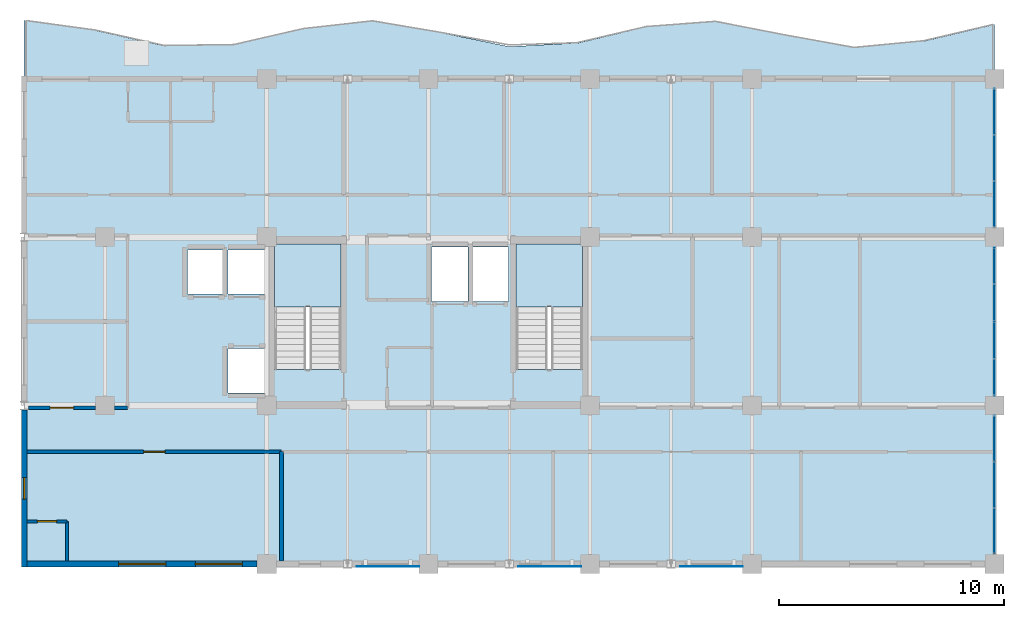
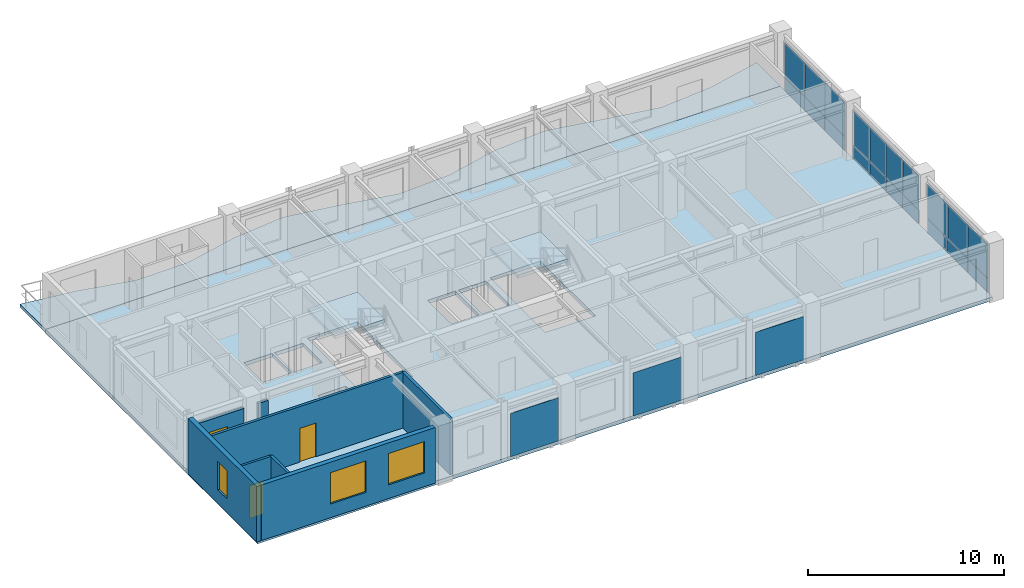
# One storey, part 5 of 11: 23 plates, 8 walls, 4 slabs, 3 doors, 3 windows, 6 openings, 5 elements without a shape of their own.
"""IFC4 building model written with IfcOpenShell, lengths in metres."""

import ifcopenshell
import ifcopenshell.guid

model = None  # the IFC model being written
_history = None  # IfcOwnerHistory: only IFC2X3 demands one
_inside = {}  # id of a spatial element -> (the spatial element, [elements in it])
_under = {}  # id of a project, library or spatial element -> (it, [spatial elements below it])
_declared = {}  # id of a project -> (the project, [libraries it declares])
_typed = {}  # id of a type object -> (the type object, [elements of that type])
_made_of = {}  # id of a material, layer set ... -> (it, [elements and type objects made of it])


def new_model(schema):
    """Start an empty IFC model of exactly this schema.

    Asked for "IFC4X3", IfcOpenShell would pick the latest addendum, in which some entities
    have other attributes; the version numbers below select the first issue.
    IFC2X3 requires an IfcOwnerHistory on every rooted entity: one is made here for all.
    """
    global model, _history
    if schema == "IFC4X3":
        model = ifcopenshell.file(schema_version=(4, 3, 0, 0))
    else:
        model = ifcopenshell.file(schema=schema)
    _inside.clear()
    _under.clear()
    _declared.clear()
    _typed.clear()
    _made_of.clear()
    _history = None
    if model.schema == "IFC2X3":
        org = make("IfcOrganization", Name="unknown")
        user = make(
            "IfcPersonAndOrganization",
            ThePerson=make("IfcPerson", FamilyName="unknown"),
            TheOrganization=org,
        )
        app = make(
            "IfcApplication",
            ApplicationDeveloper=org,
            Version="unknown",
            ApplicationFullName="unknown",
            ApplicationIdentifier="unknown",
        )
        _history = make(
            "IfcOwnerHistory",
            OwningUser=user,
            OwningApplication=app,
            ChangeAction="ADDED",
            CreationDate=0,
        )
    return model


def make(cls, **values):
    """One entity of the class cls with the attributes given. An attribute that is None is left unset."""
    return model.create_entity(
        cls, **{name: value for name, value in values.items() if value is not None}
    )


def rooted(cls, **values):
    """An entity with a GlobalId (a new one), such as an element, a storey or a relation."""
    return make(cls, GlobalId=ifcopenshell.guid.new(), OwnerHistory=_history, **values)


def si_unit(unit_type, name, prefix=None):
    """IfcSIUnit, for example si_unit("LENGTHUNIT", "METRE", prefix="MILLI")."""
    return make("IfcSIUnit", UnitType=unit_type, Prefix=prefix, Name=name)


def assignment(units):
    """IfcUnitAssignment: the units of a project."""
    return None if units is None else make("IfcUnitAssignment", Units=units)


def point(xyz):
    """IfcCartesianPoint."""
    return None if xyz is None else make("IfcCartesianPoint", Coordinates=xyz)


def direction(xyz):
    """IfcDirection."""
    return None if xyz is None else make("IfcDirection", DirectionRatios=xyz)


def frame(location, z_axis=None, x_axis=None):
    """IfcAxis2Placement3D, a coordinate frame: its origin and axes. An axis left out is left unset."""
    return make(
        "IfcAxis2Placement3D",
        Location=point(location),
        Axis=direction(z_axis),
        RefDirection=direction(x_axis),
    )


def frame_2d(location, x_axis=None):
    """IfcAxis2Placement2D, a coordinate frame in the plane: its origin and x axis."""
    return make(
        "IfcAxis2Placement2D", Location=point(location), RefDirection=direction(x_axis)
    )


def origin():
    """The frame at (0, 0, 0) with its axes left unset."""
    return frame((0.0, 0.0, 0.0))


def origin_2d():
    """The frame at (0, 0) in the plane with its x axis left unset."""
    return frame_2d((0.0, 0.0))


def place(relative_to, where):
    """IfcLocalPlacement: puts the frame where relative to a parent placement (None: the world)."""
    return make(
        "IfcLocalPlacement", PlacementRelTo=relative_to, RelativePlacement=where
    )


def context(
    kind, dimensions, precision=None, world=None, true_north=None, identifier=None
):
    """IfcGeometricRepresentationContext, for example the 3D "Model" context."""
    return make(
        "IfcGeometricRepresentationContext",
        ContextIdentifier=identifier,
        ContextType=kind,
        CoordinateSpaceDimension=dimensions,
        Precision=precision,
        WorldCoordinateSystem=world,
        TrueNorth=true_north,
    )


def subcontext(parent, identifier, kind, view, scale=None):
    """IfcGeometricRepresentationSubContext, for example "Body" below "Model"."""
    return make(
        "IfcGeometricRepresentationSubContext",
        ContextIdentifier=identifier,
        ContextType=kind,
        ParentContext=parent,
        TargetScale=scale,
        TargetView=view,
    )


def project(units=None, contexts=None):
    """IfcProject with its units and contexts."""
    return rooted(
        "IfcProject",
        Name="project",
        RepresentationContexts=contexts,
        UnitsInContext=assignment(units),
    )


def spatial(cls, under=None, at=None, **own):
    """A site, building, storey or space (cls), placed at a placement, below another one or the project."""
    s = rooted(cls, ObjectPlacement=at, **own)
    if under is not None:
        _under.setdefault(under.id(), (under, []))[1].append(s)
    return s


def polyline(points):
    """IfcPolyline through the points."""
    return make("IfcPolyline", Points=[point(p) for p in points])


def profile(cls, at=None, kind="AREA", **sizes):
    """A parametric profile (cls). Its sizes go by their IFC names, for example OverallWidth=200.0."""
    return make(cls, ProfileType=kind, Position=at, **sizes)


def rectangle(**sizes):
    """IfcRectangleProfileDef."""
    return profile("IfcRectangleProfileDef", **sizes)


def outline(outer, holes=None, kind="AREA"):
    """IfcArbitraryClosedProfileDef: a profile drawn as a closed curve; with holes, ...WithVoids."""
    if holes is None:
        return make("IfcArbitraryClosedProfileDef", ProfileType=kind, OuterCurve=outer)
    return make(
        "IfcArbitraryProfileDefWithVoids",
        ProfileType=kind,
        OuterCurve=outer,
        InnerCurves=holes,
    )


def extrude(swept, where, along, depth):
    """IfcExtrudedAreaSolid: the profile swept, set in the frame where, extruded along a direction by depth."""
    return make(
        "IfcExtrudedAreaSolid",
        SweptArea=swept,
        Position=where,
        ExtrudedDirection=direction(along),
        Depth=depth,
    )


def shape(context_of_items, identifier, shape_type, items):
    """IfcShapeRepresentation: the items that make up one representation, for example the "Body"."""
    return make(
        "IfcShapeRepresentation",
        ContextOfItems=context_of_items,
        RepresentationIdentifier=identifier,
        RepresentationType=shape_type,
        Items=items,
    )


def source(mapping_origin, context_of_items, identifier, shape_type, items):
    """IfcRepresentationMap: a shape defined once, which mapped items show again and again."""
    return make(
        "IfcRepresentationMap",
        MappingOrigin=mapping_origin,
        MappedRepresentation=shape(context_of_items, identifier, shape_type, items),
    )


def transform(
    local_origin,
    x_axis=None,
    y_axis=None,
    z_axis=None,
    scale=None,
    scale2=None,
    scale3=None,
    uniform=True,
):
    """IfcCartesianTransformationOperator3D, or its non-uniform kind. x_axis, y_axis, z_axis: its Axis1, 2, 3."""
    if uniform:
        return make(
            "IfcCartesianTransformationOperator3D",
            Axis1=direction(x_axis),
            Axis2=direction(y_axis),
            LocalOrigin=point(local_origin),
            Scale=scale,
            Axis3=direction(z_axis),
        )
    return make(
        "IfcCartesianTransformationOperator3DnonUniform",
        Axis1=direction(x_axis),
        Axis2=direction(y_axis),
        LocalOrigin=point(local_origin),
        Scale=scale,
        Axis3=direction(z_axis),
        Scale2=scale2,
        Scale3=scale3,
    )


def mapped(mapping_source, mapping_target):
    """IfcMappedItem: shows the shape of a source again, moved by a transform."""
    return make(
        "IfcMappedItem", MappingSource=mapping_source, MappingTarget=mapping_target
    )


def material(Name=None, Category=None):
    """IfcMaterial."""
    return make("IfcMaterial", Name=Name, Category=Category)


def layer(
    of_material, thickness, ventilated=None, Name=None, Category=None, Priority=None
):
    """IfcMaterialLayer: one layer of a wall or slab, of a material (None: an air gap)."""
    return make(
        "IfcMaterialLayer",
        Material=of_material,
        LayerThickness=thickness,
        IsVentilated=ventilated,
        Name=Name,
        Category=Category,
        Priority=Priority,
    )


def layer_set(layers, Name=None):
    """IfcMaterialLayerSet."""
    return make("IfcMaterialLayerSet", MaterialLayers=layers, LayerSetName=Name)


def made_of(thing, what):
    """Note that an element or type object is made of a material, layer set ...; save() writes the relation."""
    if what is not None:
        _made_of.setdefault(what.id(), (what, []))[1].append(thing)
    return thing


def type_object(cls, material=None, **own):
    """A type object (cls), such as IfcWallType, which elements share."""
    return made_of(rooted(cls, **own), material)


def element(
    cls,
    number,
    at=None,
    inside=None,
    cuts=None,
    type_object=None,
    material=None,
    context=None,
    identifier="Body",
    shape_type=None,
    held_by="IfcProductDefinitionShape",
    body=None,
    shapes=None,
    **own,
):
    """One element of the class cls, such as IfcWall. Its Tag is "e" and its number.

    at: its placement. inside: the storey or other place that contains it. cuts: it is an
    opening in that element (IfcRelVoidsElement). A single representation is given by context,
    identifier, shape_type and body (its items); several are given by shapes. held_by: the class
    of the entity that holds the representations. save() writes the other relations.
    """
    e = rooted(cls, Tag="e%d" % number, ObjectPlacement=at, **own)
    if body is not None:
        shapes = [shape(context, identifier, shape_type, body)]
    if shapes is not None:
        e.Representation = make(held_by, Representations=shapes)
    if inside is not None:
        _inside.setdefault(inside.id(), (inside, []))[1].append(e)
    if cuts is not None:
        rooted(
            "IfcRelVoidsElement", RelatingBuildingElement=cuts, RelatedOpeningElement=e
        )
    if type_object is not None:
        _typed.setdefault(type_object.id(), (type_object, []))[1].append(e)
    return made_of(e, material)


def fill(opening, filler):
    """IfcRelFillsElement: the door or window that sits in an opening."""
    return rooted(
        "IfcRelFillsElement",
        RelatingOpeningElement=opening,
        RelatedBuildingElement=filler,
    )


def aggregate(whole, parts):
    """IfcRelAggregates: a whole, such as a stair, and the parts it consists of."""
    return rooted("IfcRelAggregates", RelatingObject=whole, RelatedObjects=parts)


def save(model, path):
    """Write the relations noted so far, then the file.

    IfcRelAggregates (storeys below a building ...), IfcRelContainedInSpatialStructure (elements
    in a storey), IfcRelDefinesByType, IfcRelAssociatesMaterial and IfcRelDeclares: one each for
    every whole, place, type object, material and project.
    """
    for whole, parts in _under.values():
        aggregate(whole, parts)
    for where, things in _inside.values():
        rooted(
            "IfcRelContainedInSpatialStructure",
            RelatedElements=things,
            RelatingStructure=where,
        )
    for kind, things in _typed.values():
        rooted("IfcRelDefinesByType", RelatedObjects=things, RelatingType=kind)
    for what, things in _made_of.values():
        rooted("IfcRelAssociatesMaterial", RelatedObjects=things, RelatingMaterial=what)
    for by, libraries in _declared.values():
        rooted("IfcRelDeclares", RelatingContext=by, RelatedDefinitions=libraries)
    model.write(path)


model = new_model("IFC4")

# Units and contexts
model_context = context("Model", 3, precision=1e-05, world=origin(), true_north=direction((0.0, 1.0)))
body_context = subcontext(model_context, "Body", "Model", "MODEL_VIEW")
ifc_project = project(units=[si_unit("LENGTHUNIT", "METRE"), si_unit("AREAUNIT", "SQUARE_METRE"), si_unit("VOLUMEUNIT", "CUBIC_METRE"), si_unit("PLANEANGLEUNIT", "RADIAN"), si_unit("MASSUNIT", "GRAM", prefix="KILO")], contexts=[model_context])

# Site, building, storey
site_placement = place(None, origin())
site = spatial("IfcSite", under=ifc_project, at=site_placement, CompositionType="ELEMENT")
building_placement = place(site_placement, origin())
building = spatial("IfcBuilding", under=site, at=building_placement, Name="Kaliganga Portal Commons", CompositionType="ELEMENT")
storey_placement = place(building_placement, frame((0.0, 0.0, 264.699951171875)))
storey = spatial("IfcBuildingStorey", under=building, at=storey_placement, Name="L68", CompositionType="ELEMENT", Elevation=264.699951171875)

# Slab
ifc_material_1 = material(Name="Concrete C40/50", Category="concrete")
ifc_layer_1 = layer(ifc_material_1, 0.2099609375)
ifc_layer_set_1 = layer_set([ifc_layer_1], Name="Concrete C40/50")
slab_type_1 = type_object("IfcSlabType", Name="SLB-BALC-210", PredefinedType="FLOOR", material=ifc_layer_set_1)
slab_1_placement = place(storey_placement, frame((0.0, 0.0, -0.2099609375)))
element("IfcSlab", 1, at=slab_1_placement, inside=storey, type_object=slab_type_1, Name="Scalloped Tree-Planter Balcony Slab L68 balc_north", PredefinedType="FLOOR", context=body_context, shape_type="SweptSolid", body=[
    extrude(outline(polyline([(46.800048828125, 43.199951171875), (46.800048828125, 45.62158203125), (43.71435546875, 44.895263671875), (40.628662109375, 44.597900390625), (37.54296875, 45.160888671875), (34.45703125, 45.767578125), (31.371337890625, 45.537841796875), (28.28564453125, 44.804931640625), (25.199951171875, 44.632080078125), (22.1142578125, 45.27001953125), (19.028564453125, 45.793212890625), (15.94287109375, 45.44287109375), (12.857177734375, 44.72705078125), (9.771484375, 44.684326171875), (6.685791015625, 45.376708984375), (3.60009765625, 45.7998046875), (3.60009765625, 43.199951171875), (46.800048828125, 43.199951171875)])), origin(), (0.0, 0.0, 1.0), 0.2099609375),
])

# Stair, slab
stair_type = type_object("IfcStairType", Name="ST-CORE-DOGLEG", PredefinedType="HALF_TURN_STAIR", material=ifc_material_1)
stair_1_placement = place(storey_placement, origin())
stair_1 = element("IfcStair", 2, at=stair_1_placement, inside=storey, type_object=stair_type, Name="L68 Protected Exit Stair ST-A1", PredefinedType="HALF_TURN_STAIR")
ifc_layer_2 = layer(ifc_material_1, 0.199951171875)
ifc_layer_set_2 = layer_set([ifc_layer_2], Name="Concrete C40/50")
slab_type_2 = type_object("IfcSlabType", Name="SLB-STAIR-LND", PredefinedType="LANDING", material=ifc_layer_set_2)
slab_2_placement = place(storey_placement, frame((0.0, 0.0, 1.650146484375)))
slab_2 = element("IfcSlab", 3, at=slab_2_placement, type_object=slab_type_2, Name="ST-A1 landing 1", PredefinedType="LANDING", context=body_context, shape_type="SweptSolid", body=[
    extrude(outline(polyline([(17.699951171875, 33.050048828125), (17.699951171875, 35.85009765625), (14.75, 35.85009765625), (14.75, 33.050048828125), (17.699951171875, 33.050048828125)])), origin(), (0.0, 0.0, 1.0), 0.199951171875),
])
aggregate(stair_1, [slab_2])

stair_2_placement = place(storey_placement, origin())
stair_2 = element("IfcStair", 4, at=stair_2_placement, inside=storey, type_object=stair_type, Name="L68 Protected Exit Stair ST-A2", PredefinedType="HALF_TURN_STAIR")
slab_3_placement = place(storey_placement, frame((0.0, 0.0, 1.650146484375)))
slab_3 = element("IfcSlab", 5, at=slab_3_placement, type_object=slab_type_2, Name="ST-A2 landing 1", PredefinedType="LANDING", context=body_context, shape_type="SweptSolid", body=[
    extrude(outline(polyline([(28.449951171875, 33.050048828125), (28.449951171875, 35.85009765625), (25.5, 35.85009765625), (25.5, 33.050048828125), (28.449951171875, 33.050048828125)])), origin(), (0.0, 0.0, 1.0), 0.199951171875),
])
aggregate(stair_2, [slab_3])

# Slab
ifc_layer_3 = layer(ifc_material_1, 0.22509765625)
ifc_layer_set_3 = layer_set([ifc_layer_3], Name="Concrete C40/50")
slab_type_3 = type_object("IfcSlabType", Name="SLB-TWR-220", PredefinedType="FLOOR", material=ifc_layer_set_3)
slab_4_placement = place(storey_placement, frame((0.0, 0.0, -0.224853515625)))
element("IfcSlab", 6, at=slab_4_placement, inside=storey, type_object=slab_type_3, Name="Structural Floor Slab L68", PredefinedType="FLOOR", context=body_context, shape_type="SweptSolid", body=[
    extrude(outline(polyline([(3.60009765625, 21.60009765625), (46.800048828125, 21.60009765625), (46.800048828125, 43.199951171875), (3.60009765625, 43.199951171875), (3.60009765625, 21.60009765625)]), holes=[polyline([(14.75, 30.25390625), (14.75, 35.85009765625), (17.699951171875, 35.85009765625), (17.699951171875, 30.25390625), (14.75, 30.25390625)]), polyline([(25.5, 30.25390625), (25.5, 35.85009765625), (28.449951171875, 35.85009765625), (28.449951171875, 30.25390625), (25.5, 30.25390625)]), polyline([(12.6650390625, 33.614990234375), (12.6650390625, 35.5849609375), (14.3349609375, 35.5849609375), (14.3349609375, 33.614990234375), (12.6650390625, 33.614990234375)]), polyline([(12.6650390625, 29.215087890625), (12.6650390625, 31.18505859375), (14.3349609375, 31.18505859375), (14.3349609375, 29.215087890625), (12.6650390625, 29.215087890625)]), polyline([(10.864990234375, 33.614990234375), (10.864990234375, 35.5849609375), (12.534912109375, 35.5849609375), (12.534912109375, 33.614990234375), (10.864990234375, 33.614990234375)]), polyline([(21.739990234375, 33.2900390625), (21.739990234375, 35.7099609375), (23.360107421875, 35.7099609375), (23.360107421875, 33.2900390625), (21.739990234375, 33.2900390625)]), polyline([(23.5400390625, 33.2900390625), (23.5400390625, 35.7099609375), (25.159912109375, 35.7099609375), (25.159912109375, 33.2900390625), (23.5400390625, 33.2900390625)])]), origin(), (0.0, 0.0, 1.0), 0.224853515625),
])

# Plates
ifc_material_2 = material(Name="Perforated Bronze-Anodized Aluminium Solar Screen", Category="aluminium")
ifc_layer_4 = layer(ifc_material_2, 0.01806640625)
ifc_layer_set_4 = layer_set([ifc_layer_4], Name="Perforated Bronze-Anodized Aluminium Solar Screen")
plate_type_1 = type_object("IfcPlateType", Name="PLT-SCR-18", PredefinedType="USERDEFINED", material=ifc_layer_set_4)
shared_shape_1 = source(origin(), body_context, "Body", "SweptSolid", [
    extrude(rectangle(XDim=2.800048828125, YDim=0.01806640625, at=origin_2d()), origin(), (0.0, 0.0, 1.0), 2.68994140625),
])
for number, where, z_axis, x_axis, name in (
    (7, (19.800048828125, 21.47998046875, 0.080078125), (0.0, 0.0, 1.0), (1.0, 0.0, 0.0), "Perforated Solar Screen L68-S1"),
    (8, (27.0, 21.47998046875, 0.080078125), (0.0, 0.0, 1.0), (1.0, 0.0, 0.0), "Perforated Solar Screen L68-S2"),
    (9, (34.199951171875, 21.47998046875, 0.080078125), (0.0, 0.0, 1.0), (1.0, 0.0, 0.0), "Perforated Solar Screen L68-S3"),
):
    element("IfcPlate", number, at=place(storey_placement, frame(where, z_axis=z_axis, x_axis=x_axis)), inside=storey, type_object=plate_type_1, Name=name, ObjectType="SOLAR SCREEN", PredefinedType="USERDEFINED", context=body_context, shape_type="MappedRepresentation", body=[
        mapped(shared_shape_1, transform((0.0, 0.0, 0.0), x_axis=(1.0, 0.0, 0.0), y_axis=(0.0, 1.0, 0.0), z_axis=(0.0, 0.0, 1.0), scale=1.0)),
    ])

# Curtain wall, plates
ifc_material_3 = material(Name="Anodized Aluminium and Laminated Low-E Glass", Category="aluminium")
ifc_layer_5 = layer(ifc_material_3, 0.18994140625)
ifc_layer_set_5 = layer_set([ifc_layer_5], Name="Anodized Aluminium and Laminated Low-E Glass")
curtain_wall_type = type_object("IfcCurtainWallType", Name="CW-SYS-05", PredefinedType="NOTDEFINED", material=ifc_layer_set_5)
curtain_wall_1_placement = place(storey_placement, origin())
curtain_wall_1 = element("IfcCurtainWall", 10, at=curtain_wall_1_placement, inside=storey, type_object=curtain_wall_type, Name="CW 05 L68 P1E01S1", PredefinedType="NOTDEFINED")
ifc_material_4 = material(Name="Insulated Dark Spandrel Panel", Category="metal")
ifc_layer_6 = layer(ifc_material_4, 0.044921875)
ifc_layer_set_6 = layer_set([ifc_layer_6], Name="Insulated Dark Spandrel Panel")
plate_type_2 = type_object("IfcPlateType", Name="PLT-SPN-45", PredefinedType="SHEET", material=ifc_layer_set_6)
shared_shape_2 = source(origin(), body_context, "Body", "SweptSolid", [
    extrude(rectangle(XDim=2.02587890625, YDim=0.044921875, at=origin_2d()), origin(), (0.0, 0.0, 1.0), 0.841064453125),
])
plate_1_placement = place(storey_placement, frame((46.800048828125, 23.05908203125, 0.01025390625), z_axis=(0.0, 0.0, 1.0), x_axis=(0.0, 1.0, 0.0)))
plate_1 = element("IfcPlate", 11, at=plate_1_placement, type_object=plate_type_2, Name="CW:05:L68:P1E01S1 Spandrel 00", PredefinedType="SHEET", context=body_context, shape_type="MappedRepresentation", body=[
    mapped(shared_shape_2, transform((0.0, 0.0, 0.0), x_axis=(1.0, 0.0, 0.0), y_axis=(0.0, 1.0, 0.0), z_axis=(0.0, 0.0, 1.0), scale=1.0)),
])
plate_2_placement = place(storey_placement, frame((46.800048828125, 25.125, 0.01025390625), z_axis=(0.0, 0.0, 1.0), x_axis=(0.0, 1.0, 0.0)))
plate_2 = element("IfcPlate", 12, at=plate_2_placement, type_object=plate_type_2, Name="CW:05:L68:P1E01S1 Spandrel 01", PredefinedType="SHEET", context=body_context, shape_type="MappedRepresentation", body=[
    mapped(shared_shape_2, transform((0.0, 0.0, 0.0), x_axis=(1.0, 0.0, 0.0), y_axis=(0.0, 1.0, 0.0), z_axis=(0.0, 0.0, 1.0), scale=1.0)),
])
plate_3_placement = place(storey_placement, frame((46.800048828125, 27.19091796875, 0.01025390625), z_axis=(0.0, 0.0, 1.0), x_axis=(0.0, 1.0, 0.0)))
plate_3 = element("IfcPlate", 13, at=plate_3_placement, type_object=plate_type_2, Name="CW:05:L68:P1E01S1 Spandrel 02", PredefinedType="SHEET", context=body_context, shape_type="MappedRepresentation", body=[
    mapped(shared_shape_2, transform((0.0, 0.0, 0.0), x_axis=(1.0, 0.0, 0.0), y_axis=(0.0, 1.0, 0.0), z_axis=(0.0, 0.0, 1.0), scale=1.0)),
])

curtain_wall_2_placement = place(storey_placement, origin())
curtain_wall_2 = element("IfcCurtainWall", 14, at=curtain_wall_2_placement, inside=storey, type_object=curtain_wall_type, Name="CW 05 L68 P1E01S3", PredefinedType="NOTDEFINED")
plate_4_placement = place(storey_placement, frame((46.800048828125, 37.60888671875, 0.01025390625), z_axis=(0.0, 0.0, 1.0), x_axis=(0.0, 1.0, 0.0)))
plate_4 = element("IfcPlate", 15, at=plate_4_placement, type_object=plate_type_2, Name="CW:05:L68:P1E01S3 Spandrel 00", PredefinedType="SHEET", context=body_context, shape_type="MappedRepresentation", body=[
    mapped(shared_shape_2, transform((0.0, 0.0, 0.0), x_axis=(1.0, 0.0, 0.0), y_axis=(0.0, 1.0, 0.0), z_axis=(0.0, 0.0, 1.0), scale=1.0)),
])
plate_5_placement = place(storey_placement, frame((46.800048828125, 39.675048828125, 0.01025390625), z_axis=(0.0, 0.0, 1.0), x_axis=(0.0, 1.0, 0.0)))
plate_5 = element("IfcPlate", 16, at=plate_5_placement, type_object=plate_type_2, Name="CW:05:L68:P1E01S3 Spandrel 01", PredefinedType="SHEET", context=body_context, shape_type="MappedRepresentation", body=[
    mapped(shared_shape_2, transform((0.0, 0.0, 0.0), x_axis=(1.0, 0.0, 0.0), y_axis=(0.0, 1.0, 0.0), z_axis=(0.0, 0.0, 1.0), scale=1.0)),
])
plate_6_placement = place(storey_placement, frame((46.800048828125, 41.740966796875, 0.01025390625), z_axis=(0.0, 0.0, 1.0), x_axis=(0.0, 1.0, 0.0)))
plate_6 = element("IfcPlate", 17, at=plate_6_placement, type_object=plate_type_2, Name="CW:05:L68:P1E01S3 Spandrel 02", PredefinedType="SHEET", context=body_context, shape_type="MappedRepresentation", body=[
    mapped(shared_shape_2, transform((0.0, 0.0, 0.0), x_axis=(1.0, 0.0, 0.0), y_axis=(0.0, 1.0, 0.0), z_axis=(0.0, 0.0, 1.0), scale=1.0)),
])

# Plate
ifc_material_5 = material(Name="Dark Solar-Control Laminated Low-E IGU", Category="glass")
ifc_layer_7 = layer(ifc_material_5, 0.028076171875)
ifc_layer_set_7 = layer_set([ifc_layer_7], Name="Dark Solar-Control Laminated Low-E IGU")
plate_type_3 = type_object("IfcPlateType", Name="PLT-GLZ-28", PredefinedType="CURTAIN_PANEL", material=ifc_layer_set_7)
shared_shape_3 = source(origin(), body_context, "Body", "SweptSolid", [
    extrude(rectangle(XDim=2.02587890625, YDim=0.028076171875, at=origin_2d()), origin(), (0.0, 0.0, 1.0), 2.114013671875),
])
plate_7_placement = place(storey_placement, frame((46.800048828125, 23.05908203125, 0.87109375), z_axis=(0.0, 0.0, 1.0), x_axis=(0.0, 1.0, 0.0)))
plate_7 = element("IfcPlate", 18, at=plate_7_placement, type_object=plate_type_3, Name="CW:05:L68:P1E01S1 Vision IGU 00", PredefinedType="CURTAIN_PANEL", context=body_context, shape_type="MappedRepresentation", body=[
    mapped(shared_shape_3, transform((0.0, 0.0, 0.0), x_axis=(1.0, 0.0, 0.0), y_axis=(0.0, 1.0, 0.0), z_axis=(0.0, 0.0, 1.0), scale=1.0)),
])

plate_8_placement = place(storey_placement, frame((46.800048828125, 25.125, 0.87109375), z_axis=(0.0, 0.0, 1.0), x_axis=(0.0, 1.0, 0.0)))
plate_8 = element("IfcPlate", 19, at=plate_8_placement, type_object=plate_type_3, Name="CW:05:L68:P1E01S1 Vision IGU 01", PredefinedType="CURTAIN_PANEL", context=body_context, shape_type="MappedRepresentation", body=[
    mapped(shared_shape_3, transform((0.0, 0.0, 0.0), x_axis=(1.0, 0.0, 0.0), y_axis=(0.0, 1.0, 0.0), z_axis=(0.0, 0.0, 1.0), scale=1.0)),
])

plate_9_placement = place(storey_placement, frame((46.800048828125, 27.19091796875, 0.87109375), z_axis=(0.0, 0.0, 1.0), x_axis=(0.0, 1.0, 0.0)))
plate_9 = element("IfcPlate", 20, at=plate_9_placement, type_object=plate_type_3, Name="CW:05:L68:P1E01S1 Vision IGU 02", PredefinedType="CURTAIN_PANEL", context=body_context, shape_type="MappedRepresentation", body=[
    mapped(shared_shape_3, transform((0.0, 0.0, 0.0), x_axis=(1.0, 0.0, 0.0), y_axis=(0.0, 1.0, 0.0), z_axis=(0.0, 0.0, 1.0), scale=1.0)),
])

aggregate(curtain_wall_1, [plate_1, plate_7, plate_2, plate_8, plate_3, plate_9])

plate_10_placement = place(storey_placement, frame((46.800048828125, 37.60888671875, 0.87109375), z_axis=(0.0, 0.0, 1.0), x_axis=(0.0, 1.0, 0.0)))
plate_10 = element("IfcPlate", 21, at=plate_10_placement, type_object=plate_type_3, Name="CW:05:L68:P1E01S3 Vision IGU 00", PredefinedType="CURTAIN_PANEL", context=body_context, shape_type="MappedRepresentation", body=[
    mapped(shared_shape_3, transform((0.0, 0.0, 0.0), x_axis=(1.0, 0.0, 0.0), y_axis=(0.0, 1.0, 0.0), z_axis=(0.0, 0.0, 1.0), scale=1.0)),
])

plate_11_placement = place(storey_placement, frame((46.800048828125, 39.675048828125, 0.87109375), z_axis=(0.0, 0.0, 1.0), x_axis=(0.0, 1.0, 0.0)))
plate_11 = element("IfcPlate", 22, at=plate_11_placement, type_object=plate_type_3, Name="CW:05:L68:P1E01S3 Vision IGU 01", PredefinedType="CURTAIN_PANEL", context=body_context, shape_type="MappedRepresentation", body=[
    mapped(shared_shape_3, transform((0.0, 0.0, 0.0), x_axis=(1.0, 0.0, 0.0), y_axis=(0.0, 1.0, 0.0), z_axis=(0.0, 0.0, 1.0), scale=1.0)),
])

plate_12_placement = place(storey_placement, frame((46.800048828125, 41.740966796875, 0.87109375), z_axis=(0.0, 0.0, 1.0), x_axis=(0.0, 1.0, 0.0)))
plate_12 = element("IfcPlate", 23, at=plate_12_placement, type_object=plate_type_3, Name="CW:05:L68:P1E01S3 Vision IGU 02", PredefinedType="CURTAIN_PANEL", context=body_context, shape_type="MappedRepresentation", body=[
    mapped(shared_shape_3, transform((0.0, 0.0, 0.0), x_axis=(1.0, 0.0, 0.0), y_axis=(0.0, 1.0, 0.0), z_axis=(0.0, 0.0, 1.0), scale=1.0)),
])

aggregate(curtain_wall_2, [plate_4, plate_10, plate_5, plate_11, plate_6, plate_12])

# Curtain wall, plates
curtain_wall_3_placement = place(storey_placement, origin())
curtain_wall_3 = element("IfcCurtainWall", 24, at=curtain_wall_3_placement, inside=storey, type_object=curtain_wall_type, Name="CW 05 L68 P1E01S2", PredefinedType="NOTDEFINED")
shared_shape_4 = source(origin(), body_context, "Body", "SweptSolid", [
    extrude(rectangle(XDim=1.6220703125, YDim=0.044921875, at=origin_2d()), origin(), (0.0, 0.0, 1.0), 0.841064453125),
])
plate_13_placement = place(storey_placement, frame((46.800048828125, 29.906982421875, 0.01025390625), z_axis=(0.0, 0.0, 1.0), x_axis=(0.0, 1.0, 0.0)))
plate_13 = element("IfcPlate", 25, at=plate_13_placement, type_object=plate_type_2, Name="CW:05:L68:P1E01S2 Spandrel 00", PredefinedType="SHEET", context=body_context, shape_type="MappedRepresentation", body=[
    mapped(shared_shape_4, transform((0.0, 0.0, 0.0), x_axis=(1.0, 0.0, 0.0), y_axis=(0.0, 1.0, 0.0), z_axis=(0.0, 0.0, 1.0), scale=1.0)),
])
plate_14_placement = place(storey_placement, frame((46.800048828125, 31.569091796875, 0.01025390625), z_axis=(0.0, 0.0, 1.0), x_axis=(0.0, 1.0, 0.0)))
plate_14 = element("IfcPlate", 26, at=plate_14_placement, type_object=plate_type_2, Name="CW:05:L68:P1E01S2 Spandrel 01", PredefinedType="SHEET", context=body_context, shape_type="MappedRepresentation", body=[
    mapped(shared_shape_4, transform((0.0, 0.0, 0.0), x_axis=(1.0, 0.0, 0.0), y_axis=(0.0, 1.0, 0.0), z_axis=(0.0, 0.0, 1.0), scale=1.0)),
])
plate_15_placement = place(storey_placement, frame((46.800048828125, 33.23095703125, 0.01025390625), z_axis=(0.0, 0.0, 1.0), x_axis=(0.0, 1.0, 0.0)))
plate_15 = element("IfcPlate", 27, at=plate_15_placement, type_object=plate_type_2, Name="CW:05:L68:P1E01S2 Spandrel 02", PredefinedType="SHEET", context=body_context, shape_type="MappedRepresentation", body=[
    mapped(shared_shape_4, transform((0.0, 0.0, 0.0), x_axis=(1.0, 0.0, 0.0), y_axis=(0.0, 1.0, 0.0), z_axis=(0.0, 0.0, 1.0), scale=1.0)),
])
plate_16_placement = place(storey_placement, frame((46.800048828125, 34.89306640625, 0.01025390625), z_axis=(0.0, 0.0, 1.0), x_axis=(0.0, 1.0, 0.0)))
plate_16 = element("IfcPlate", 28, at=plate_16_placement, type_object=plate_type_2, Name="CW:05:L68:P1E01S2 Spandrel 03", PredefinedType="SHEET", context=body_context, shape_type="MappedRepresentation", body=[
    mapped(shared_shape_4, transform((0.0, 0.0, 0.0), x_axis=(1.0, 0.0, 0.0), y_axis=(0.0, 1.0, 0.0), z_axis=(0.0, 0.0, 1.0), scale=1.0)),
])
shared_shape_5 = source(origin(), body_context, "Body", "SweptSolid", [
    extrude(rectangle(XDim=1.6220703125, YDim=0.028076171875, at=origin_2d()), origin(), (0.0, 0.0, 1.0), 2.114013671875),
])
plate_17_placement = place(storey_placement, frame((46.800048828125, 29.906982421875, 0.87109375), z_axis=(0.0, 0.0, 1.0), x_axis=(0.0, 1.0, 0.0)))
plate_17 = element("IfcPlate", 29, at=plate_17_placement, type_object=plate_type_3, Name="CW:05:L68:P1E01S2 Vision IGU 00", PredefinedType="CURTAIN_PANEL", context=body_context, shape_type="MappedRepresentation", body=[
    mapped(shared_shape_5, transform((0.0, 0.0, 0.0), x_axis=(1.0, 0.0, 0.0), y_axis=(0.0, 1.0, 0.0), z_axis=(0.0, 0.0, 1.0), scale=1.0)),
])
plate_18_placement = place(storey_placement, frame((46.800048828125, 31.569091796875, 0.87109375), z_axis=(0.0, 0.0, 1.0), x_axis=(0.0, 1.0, 0.0)))
plate_18 = element("IfcPlate", 30, at=plate_18_placement, type_object=plate_type_3, Name="CW:05:L68:P1E01S2 Vision IGU 01", PredefinedType="CURTAIN_PANEL", context=body_context, shape_type="MappedRepresentation", body=[
    mapped(shared_shape_5, transform((0.0, 0.0, 0.0), x_axis=(1.0, 0.0, 0.0), y_axis=(0.0, 1.0, 0.0), z_axis=(0.0, 0.0, 1.0), scale=1.0)),
])
plate_19_placement = place(storey_placement, frame((46.800048828125, 33.23095703125, 0.87109375), z_axis=(0.0, 0.0, 1.0), x_axis=(0.0, 1.0, 0.0)))
plate_19 = element("IfcPlate", 31, at=plate_19_placement, type_object=plate_type_3, Name="CW:05:L68:P1E01S2 Vision IGU 02", PredefinedType="CURTAIN_PANEL", context=body_context, shape_type="MappedRepresentation", body=[
    mapped(shared_shape_5, transform((0.0, 0.0, 0.0), x_axis=(1.0, 0.0, 0.0), y_axis=(0.0, 1.0, 0.0), z_axis=(0.0, 0.0, 1.0), scale=1.0)),
])
plate_20_placement = place(storey_placement, frame((46.800048828125, 34.89306640625, 0.87109375), z_axis=(0.0, 0.0, 1.0), x_axis=(0.0, 1.0, 0.0)))
plate_20 = element("IfcPlate", 32, at=plate_20_placement, type_object=plate_type_3, Name="CW:05:L68:P1E01S2 Vision IGU 03", PredefinedType="CURTAIN_PANEL", context=body_context, shape_type="MappedRepresentation", body=[
    mapped(shared_shape_5, transform((0.0, 0.0, 0.0), x_axis=(1.0, 0.0, 0.0), y_axis=(0.0, 1.0, 0.0), z_axis=(0.0, 0.0, 1.0), scale=1.0)),
])
aggregate(curtain_wall_3, [plate_13, plate_17, plate_14, plate_18, plate_15, plate_19, plate_16, plate_20])

# Wall, openings, windows
ifc_material_6 = material(Name="Insulated Aluminium-Clad Spandrel Assembly", Category="aluminium")
ifc_layer_8 = layer(ifc_material_6, 0.260009765625)
ifc_layer_set_8 = layer_set([ifc_layer_8], Name="Insulated Aluminium-Clad Spandrel Assembly")
wall_type_1 = type_object("IfcWallType", Name="WL-EXT-SPAND-260", PredefinedType="STANDARD", material=ifc_layer_set_8)
wall_1_placement = place(storey_placement, frame((13.97412109375, 21.60009765625, 0.0), z_axis=(0.0, 0.0, 1.0), x_axis=(-1.0, 0.0, 0.0)))
wall_1 = element("IfcWall", 33, at=wall_1_placement, inside=storey, type_object=wall_type_1, Name="Exterior Envelope Wall L68 P1-E00-S1", PredefinedType="STANDARD", context=body_context, shape_type="SweptSolid", body=[
    extrude(rectangle(XDim=10.239013671875, YDim=0.260009765625, at=frame_2d((5.11962890625, 0.0))), origin(), (0.0, 0.0, 1.0), 3.455078125),
])
opening_1_placement = place(wall_1_placement, frame((0.656494140625, 0.0, 0.85009765625)))
opening_1 = element("IfcOpeningElement", 34, at=opening_1_placement, cuts=wall_1, Name="Opening W-06", PredefinedType="OPENING", context=body_context, shape_type="SweptSolid", body=[
    extrude(rectangle(XDim=2.10009765625, YDim=1.949951171875, at=frame_2d((1.050048828125, 0.97509765625))), frame((0.0, 0.14013671875, 0.0), z_axis=(0.0, -1.0, 0.0), x_axis=(1.0, 0.0, 0.0)), (0.0, 0.0, 1.0), 0.280029296875),
])
opening_2_placement = place(wall_1_placement, frame((4.069580078125, 0.0, 0.85009765625)))
opening_2 = element("IfcOpeningElement", 35, at=opening_2_placement, cuts=wall_1, Name="Opening W-06", PredefinedType="OPENING", context=body_context, shape_type="SweptSolid", body=[
    extrude(rectangle(XDim=2.10009765625, YDim=1.949951171875, at=frame_2d((1.050048828125, 0.97509765625))), frame((0.0, 0.14013671875, 0.0), z_axis=(0.0, -1.0, 0.0), x_axis=(1.0, 0.0, 0.0)), (0.0, 0.0, 1.0), 0.280029296875),
])
ifc_material_7 = material(Name="Thermally Broken Aluminium and Low-E Double Glazing", Category="aluminium")
window_type_1 = type_object("IfcWindowType", Name="WIN-PAN-2100", PartitioningType="DOUBLE_PANEL_VERTICAL", PredefinedType="WINDOW", material=ifc_material_7)
window_1_placement = place(opening_1_placement, origin())
window_1 = element("IfcWindow", 36, at=window_1_placement, inside=storey, type_object=window_type_1, Name="Facade Window L68-P1E00S1-00", OverallHeight=1.949951171875, OverallWidth=2.10009765625, PartitioningType="SINGLE_PANEL", PredefinedType="WINDOW", context=body_context, shape_type="SweptSolid", body=[
    extrude(rectangle(XDim=2.10009765625, YDim=1.949951171875, at=frame_2d((1.050048828125, 0.97509765625))), frame((0.0, 0.030029296875, 0.0), z_axis=(0.0, -1.0, 0.0), x_axis=(1.0, 0.0, 0.0)), (0.0, 0.0, 1.0), 0.06005859375),
])
fill(opening_1, window_1)
window_2_placement = place(opening_2_placement, origin())
window_2 = element("IfcWindow", 37, at=window_2_placement, inside=storey, type_object=window_type_1, Name="Facade Window L68-P1E00S1-01", OverallHeight=1.949951171875, OverallWidth=2.10009765625, PartitioningType="SINGLE_PANEL", PredefinedType="WINDOW", context=body_context, shape_type="SweptSolid", body=[
    extrude(rectangle(XDim=2.10009765625, YDim=1.949951171875, at=frame_2d((1.050048828125, 0.97509765625))), frame((0.0, 0.030029296875, 0.0), z_axis=(0.0, -1.0, 0.0), x_axis=(1.0, 0.0, 0.0)), (0.0, 0.0, 1.0), 0.06005859375),
])
fill(opening_2, window_2)

# Wall, opening, window
wall_2_placement = place(storey_placement, frame((3.60009765625, 21.469970703125, 0.0), z_axis=(0.0, 0.0, 1.0), x_axis=(0.0, 1.0, 0.0)))
wall_2 = element("IfcWall", 38, at=wall_2_placement, inside=storey, type_object=wall_type_1, Name="Exterior Envelope Wall L68 P1-E03-S3", PredefinedType="STANDARD", context=body_context, shape_type="SweptSolid", body=[
    extrude(rectangle(XDim=6.992919921875, YDim=0.260009765625, at=frame_2d((3.49658203125, 0.0))), origin(), (0.0, 0.0, 1.0), 3.455078125),
])
opening_3_placement = place(wall_2_placement, frame((3.021484375, 0.0, 0.85009765625)))
opening_3 = element("IfcOpeningElement", 39, at=opening_3_placement, cuts=wall_2, Name="Opening W-04", PredefinedType="OPENING", context=body_context, shape_type="SweptSolid", body=[
    extrude(rectangle(XDim=0.949951171875, YDim=1.75, at=frame_2d((0.47509765625, 0.875))), frame((0.0, 0.14013671875, 0.0), z_axis=(0.0, -1.0, 0.0), x_axis=(1.0, 0.0, 0.0)), (0.0, 0.0, 1.0), 0.280029296875),
])
window_type_2 = type_object("IfcWindowType", Name="WIN-NARROW-950", PartitioningType="SINGLE_PANEL", PredefinedType="WINDOW", material=ifc_material_7)
window_3_placement = place(opening_3_placement, origin())
window_3 = element("IfcWindow", 40, at=window_3_placement, inside=storey, type_object=window_type_2, Name="Facade Window L68-P1E03S3-N0", OverallHeight=1.75, OverallWidth=0.949951171875, PartitioningType="SINGLE_PANEL", PredefinedType="WINDOW", context=body_context, shape_type="SweptSolid", body=[
    extrude(rectangle(XDim=0.949951171875, YDim=1.75, at=frame_2d((0.47509765625, 0.875))), frame((0.0, 0.030029296875, 0.0), z_axis=(0.0, -1.0, 0.0), x_axis=(1.0, 0.0, 0.0)), (0.0, 0.0, 1.0), 0.06005859375),
])
fill(opening_3, window_3)

# Wall, opening, door
ifc_material_8 = material(Name="Fire-Rated Gypsum Board on Steel Stud", Category="steel")
ifc_layer_9 = layer(ifc_material_8, 0.14990234375)
ifc_layer_set_9 = layer_set([ifc_layer_9], Name="Fire-Rated Gypsum Board on Steel Stud")
wall_type_2 = type_object("IfcWallType", Name="WL-PART-CORR-150", PredefinedType="PARTITIONING", material=ifc_layer_set_9)
wall_3_placement = place(storey_placement, frame((3.73193359375, 26.60009765625, 0.0), z_axis=(0.0, 0.0, 1.0), x_axis=(1.0, 0.0, 0.0)))
wall_3 = element("IfcWall", 41, at=wall_3_placement, inside=storey, type_object=wall_type_2, Name="Interior Partition L68-009", PredefinedType="PARTITIONING", context=body_context, shape_type="SweptSolid", body=[
    extrude(rectangle(XDim=11.328125, YDim=0.14990234375, at=frame_2d((5.6640625, 0.0))), origin(), (0.0, 0.0, 1.0), 3.455078125),
])
opening_4_placement = place(wall_3_placement, frame((5.18896484375, 0.0, 0.0)))
opening_4 = element("IfcOpeningElement", 42, at=opening_4_placement, cuts=wall_3, Name="Opening UD-01", PredefinedType="OPENING", context=body_context, shape_type="SweptSolid", body=[
    extrude(rectangle(XDim=0.949951171875, YDim=2.10009765625, at=frame_2d((0.47509765625, 1.050048828125))), frame((0.0, 0.0849609375, 0.0), z_axis=(0.0, -1.0, 0.0), x_axis=(1.0, 0.0, 0.0)), (0.0, 0.0, 1.0), 0.169921875),
])
ifc_material_9 = material(Name="Solid-Core Timber Acoustic Fire Door", Category="wood")
door_type_1 = type_object("IfcDoorType", Name="DR-UNIT-950", OperationType="NOTDEFINED", PredefinedType="DOOR", material=ifc_material_9)
door_1_placement = place(opening_4_placement, origin())
door_1 = element("IfcDoor", 43, at=door_1_placement, inside=storey, type_object=door_type_1, Name="Interior Door L68-AS01", OperationType="SINGLE_SWING_LEFT", OverallHeight=2.10009765625, OverallWidth=0.949951171875, PredefinedType="DOOR", context=body_context, shape_type="SweptSolid", body=[
    extrude(rectangle(XDim=0.949951171875, YDim=2.10009765625, at=frame_2d((0.47509765625, 1.050048828125))), frame((0.0, 0.02490234375, 0.0), z_axis=(0.0, -1.0, 0.0), x_axis=(1.0, 0.0, 0.0)), (0.0, 0.0, 1.0), 0.050048828125),
])
fill(opening_4, door_1)

wall_4_placement = place(storey_placement, frame((3.787109375, 28.56005859375, 0.0), z_axis=(0.0, 0.0, 1.0), x_axis=(1.0, 0.0, 0.0)))
wall_4 = element("IfcWall", 44, at=wall_4_placement, inside=storey, type_object=wall_type_2, Name="Interior Partition L68-019", PredefinedType="PARTITIONING", context=body_context, shape_type="SweptSolid", body=[
    extrude(rectangle(XDim=2.98779296875, YDim=0.14990234375, at=frame_2d((1.493896484375, 0.0))), origin(), (0.0, 0.0, 1.0), 2.905029296875),
])
opening_5_placement = place(wall_4_placement, frame((0.968994140625, 0.0, 0.0)))
opening_5 = element("IfcOpeningElement", 45, at=opening_5_placement, cuts=wall_4, Name="Opening UD-02", PredefinedType="OPENING", context=body_context, shape_type="SweptSolid", body=[
    extrude(rectangle(XDim=1.050048828125, YDim=2.1201171875, at=frame_2d((0.52490234375, 1.06005859375))), frame((0.0, 0.0849609375, 0.0), z_axis=(0.0, -1.0, 0.0), x_axis=(1.0, 0.0, 0.0)), (0.0, 0.0, 1.0), 0.169921875),
])
ifc_material_10 = material(Name="Accessible Wide-Leaf Acoustic Fire Door", Category="wood")
door_type_2 = type_object("IfcDoorType", Name="DR-ACC-1050", OperationType="NOTDEFINED", PredefinedType="DOOR", material=ifc_material_10)
door_2_placement = place(opening_5_placement, origin())
door_2 = element("IfcDoor", 46, at=door_2_placement, inside=storey, type_object=door_type_2, Name="Interior Door L68-AW01", OperationType="SINGLE_SWING_RIGHT", OverallHeight=2.1201171875, OverallWidth=1.050048828125, PredefinedType="DOOR", context=body_context, shape_type="SweptSolid", body=[
    extrude(rectangle(XDim=1.050048828125, YDim=2.1201171875, at=frame_2d((0.52490234375, 1.06005859375))), frame((0.0, 0.02490234375, 0.0), z_axis=(0.0, -1.0, 0.0), x_axis=(1.0, 0.0, 0.0)), (0.0, 0.0, 1.0), 0.050048828125),
])
fill(opening_5, door_2)

# Walls
wall_5_placement = place(storey_placement, frame((7.625, 28.56005859375, 0.0), z_axis=(0.0, 0.0, 1.0), x_axis=(1.0, 0.0, 0.0)))
element("IfcWall", 47, at=wall_5_placement, inside=storey, type_object=wall_type_2, Name="Interior Partition L68-020", PredefinedType="PARTITIONING", context=body_context, shape_type="SweptSolid", body=[
    extrude(rectangle(XDim=0.574951171875, YDim=0.14990234375, at=frame_2d((0.28759765625, 0.0))), origin(), (0.0, 0.0, 1.0), 2.905029296875),
])
ifc_material_11 = material(Name="Twin-Stud Acoustic Gypsum Partition", Category="gypsum")
ifc_layer_10 = layer(ifc_material_11, 0.1650390625)
ifc_layer_set_10 = layer_set([ifc_layer_10], Name="Twin-Stud Acoustic Gypsum Partition")
wall_type_3 = type_object("IfcWallType", Name="WL-PART-UNIT-165", PredefinedType="PARTITIONING", material=ifc_layer_set_10)
wall_6_placement = place(storey_placement, frame((15.06005859375, 21.73193359375, 0.0), z_axis=(0.0, 0.0, 1.0), x_axis=(0.0, 1.0, 0.0)))
element("IfcWall", 48, at=wall_6_placement, inside=storey, type_object=wall_type_3, Name="Interior Partition L68-048", PredefinedType="PARTITIONING", context=body_context, shape_type="SweptSolid", body=[
    extrude(rectangle(XDim=4.8681640625, YDim=0.1650390625, at=frame_2d((2.43408203125, 0.0))), origin(), (0.0, 0.0, 1.0), 3.455078125),
])

# Wall, opening, door
ifc_material_12 = material(Name="Cement-Board Wet-Room Partition", Category="gypsum")
ifc_layer_11 = layer(ifc_material_12, 0.135009765625)
ifc_layer_set_11 = layer_set([ifc_layer_11], Name="Cement-Board Wet-Room Partition")
wall_type_4 = type_object("IfcWallType", Name="WL-PART-WET-135", PredefinedType="PARTITIONING", material=ifc_layer_set_11)
wall_7_placement = place(storey_placement, frame((3.73193359375, 23.5, 0.0), z_axis=(0.0, 0.0, 1.0), x_axis=(1.0, 0.0, 0.0)))
wall_7 = element("IfcWall", 49, at=wall_7_placement, inside=storey, type_object=wall_type_4, Name="Interior Partition L68-005", PredefinedType="PARTITIONING", context=body_context, shape_type="SweptSolid", body=[
    extrude(rectangle(XDim=1.76806640625, YDim=0.135009765625, at=frame_2d((0.884033203125, 0.0))), origin(), (0.0, 0.0, 1.0), 3.455078125),
])
opening_6_placement = place(wall_7_placement, frame((0.458984375, 0.0, 0.0)))
opening_6 = element("IfcOpeningElement", 50, at=opening_6_placement, cuts=wall_7, Name="Opening WD-01", PredefinedType="OPENING", context=body_context, shape_type="SweptSolid", body=[
    extrude(rectangle(XDim=0.85009765625, YDim=2.0400390625, at=frame_2d((0.425048828125, 1.02001953125))), frame((0.0, 0.07763671875, 0.0), z_axis=(0.0, -1.0, 0.0), x_axis=(1.0, 0.0, 0.0)), (0.0, 0.0, 1.0), 0.155029296875),
])
ifc_material_13 = material(Name="Moisture-Resistant Laminate Timber Door", Category="wood")
door_type_3 = type_object("IfcDoorType", Name="DR-WET-850", OperationType="NOTDEFINED", PredefinedType="DOOR", material=ifc_material_13)
door_3_placement = place(opening_6_placement, origin())
door_3 = element("IfcDoor", 51, at=door_3_placement, inside=storey, type_object=door_type_3, Name="Interior Door L68-AS01E", OperationType="SINGLE_SWING_LEFT", OverallHeight=2.0400390625, OverallWidth=0.85009765625, PredefinedType="DOOR", context=body_context, shape_type="SweptSolid", body=[
    extrude(rectangle(XDim=0.85009765625, YDim=2.0400390625, at=frame_2d((0.425048828125, 1.02001953125))), frame((0.0, 0.02490234375, 0.0), z_axis=(0.0, -1.0, 0.0), x_axis=(1.0, 0.0, 0.0)), (0.0, 0.0, 1.0), 0.050048828125),
])
fill(opening_6, door_3)

# Wall
wall_8_placement = place(storey_placement, frame((5.5, 21.73193359375, 0.0), z_axis=(0.0, 0.0, 1.0), x_axis=(0.0, 1.0, 0.0)))
element("IfcWall", 52, at=wall_8_placement, inside=storey, type_object=wall_type_4, Name="Interior Partition L68-007", PredefinedType="PARTITIONING", context=body_context, shape_type="SweptSolid", body=[
    extrude(rectangle(XDim=1.76806640625, YDim=0.135009765625, at=frame_2d((0.884033203125, 0.0))), origin(), (0.0, 0.0, 1.0), 3.455078125),
])

save(model, "model.ifc")
